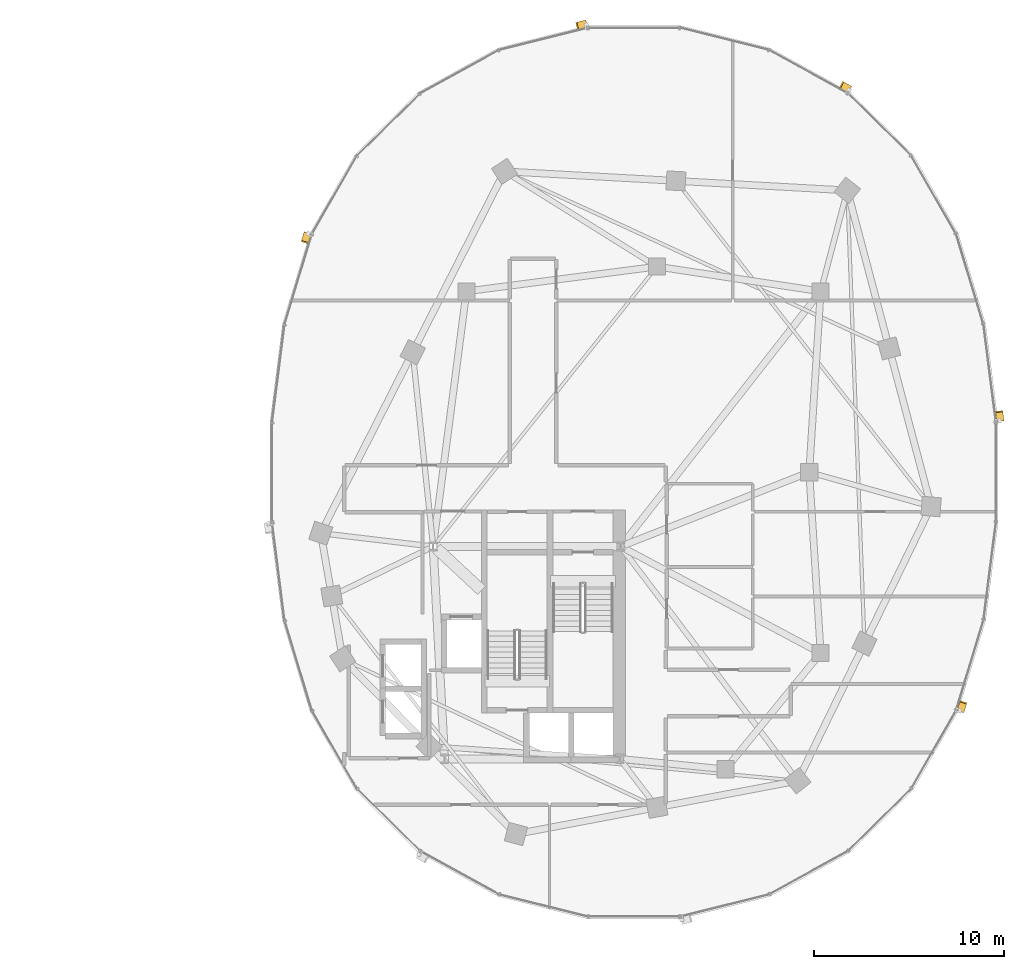
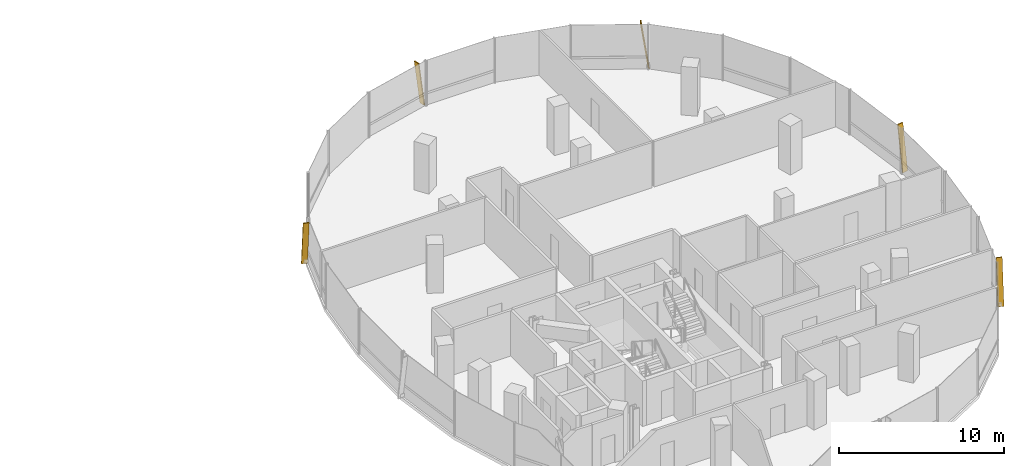
# One storey, part 22 of 22: 5 shading devices.
"""IFC4 building model written with IfcOpenShell, lengths in metres."""

from ifc_helpers import new_model, si_unit, direction, frame, origin, origin_2d, place, context, subcontext, project, spatial, rectangle, extrude, material, material_profile, profile_set, type_object, element, save


model = new_model("IFC4")

# Units and contexts
model_context = context("Model", 3, precision=1e-05, world=origin(), true_north=direction((0.0, 1.0)))
body_context = subcontext(model_context, "Body", "Model", "MODEL_VIEW")
ifc_project = project(units=[si_unit("LENGTHUNIT", "METRE"), si_unit("AREAUNIT", "SQUARE_METRE"), si_unit("VOLUMEUNIT", "CUBIC_METRE"), si_unit("PLANEANGLEUNIT", "RADIAN"), si_unit("MASSUNIT", "GRAM", prefix="KILO"), si_unit("THERMODYNAMICTEMPERATUREUNIT", "KELVIN"), si_unit("POWERUNIT", "WATT")], contexts=[model_context])

# Site, building, storey
site_placement = place(None, origin())
site = spatial("IfcSite", under=ifc_project, at=site_placement, CompositionType="ELEMENT")
building_placement = place(site_placement, origin())
building = spatial("IfcBuilding", under=site, at=building_placement, Name="Cundina Bronze Exchange", CompositionType="ELEMENT")
storey_placement = place(building_placement, frame((0.0, 0.0, 147.60009765625)))
storey = spatial("IfcBuildingStorey", under=building, at=storey_placement, Name="L38", CompositionType="ELEMENT", Elevation=147.60009765625)

# Shading devices
ifc_material = material(Name="Anodised Bronze Aluminium 6063-T6", Category="aluminium")
ifc_material_profile = material_profile(ifc_material, rectangle(XDim=0.070068359375, YDim=0.3798828125, at=origin_2d()), Name="FIN70X380", Category="aluminium")
ifc_profile_set = profile_set([ifc_material_profile], Name="Anodised Bronze Aluminium 6063-T6")
shading_device_type = type_object("IfcShadingDeviceType", Name="SHD-FIN-BRZ380", PredefinedType="USERDEFINED", material=ifc_profile_set)
for number, where, z_axis, x_axis, name in (
    (1, (51.23486328125, 2.705810546875, 0.02001953125), (-0.018123110499, 0.141927973785, 0.989711070527), (0.125360600332, -0.981739641151, 0.143080386066), "L38 Diagonal Bronze Solar Fin 1"),
    (2, (43.320068359375, 20.11181640625, 0.02001953125), (-0.125333488691, 0.068998924088, 0.989712415345), (0.867010347902, -0.477308832643, 0.143071083426), "L38 Diagonal Bronze Solar Fin 5"),
    (3, (29.48046875, 23.556396484375, 0.02001953125), (-0.138798398751, -0.034717795597, 0.989711917263), (0.960131970194, 0.240158861973, 0.143074528925), "L38 Diagonal Bronze Solar Fin 1"),
    (4, (14.848876953125, 12.5439453125, 0.02001953125), (-0.041486383227, -0.136977847776, 0.989704980904), (0.286882071994, 0.94721413946, 0.143122502684), "L38 Diagonal Bronze Solar Fin 5"),
    (5, (49.151123046875, -12.5439453125, 0.02001953125), (0.041486383227, 0.136977847776, 0.989704980904), (-0.286882071994, -0.94721413946, 0.143122502684), "L38 Diagonal Bronze Solar Fin 5"),
):
    element("IfcShadingDevice", number, at=place(storey_placement, frame(where, z_axis=z_axis, x_axis=x_axis)), inside=storey, type_object=shading_device_type, Name=name, ObjectType="FIN", PredefinedType="USERDEFINED", context=body_context, shape_type="SweptSolid", body=[
        extrude(rectangle(XDim=0.070068359375, YDim=0.3798828125, at=origin_2d()), origin(), (0.0, 0.0, 1.0), 3.354248046875),
    ])

save(model, "model.ifc")
